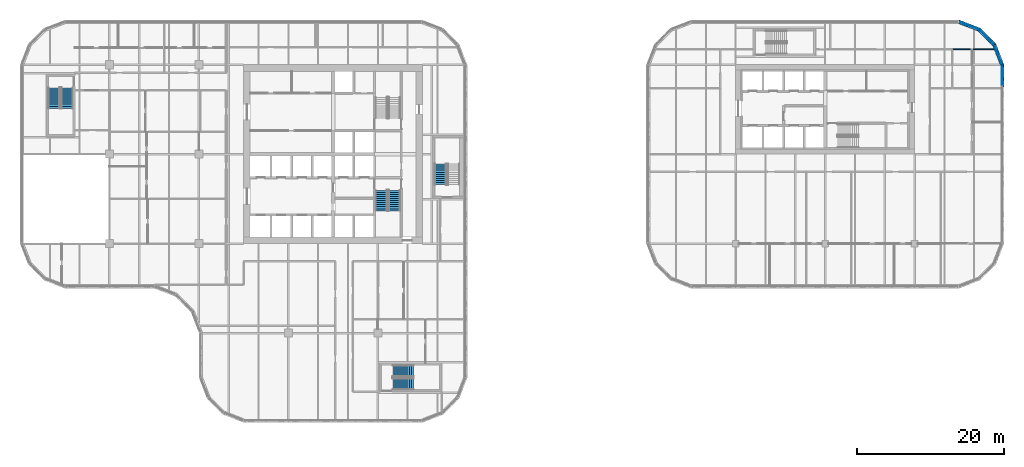
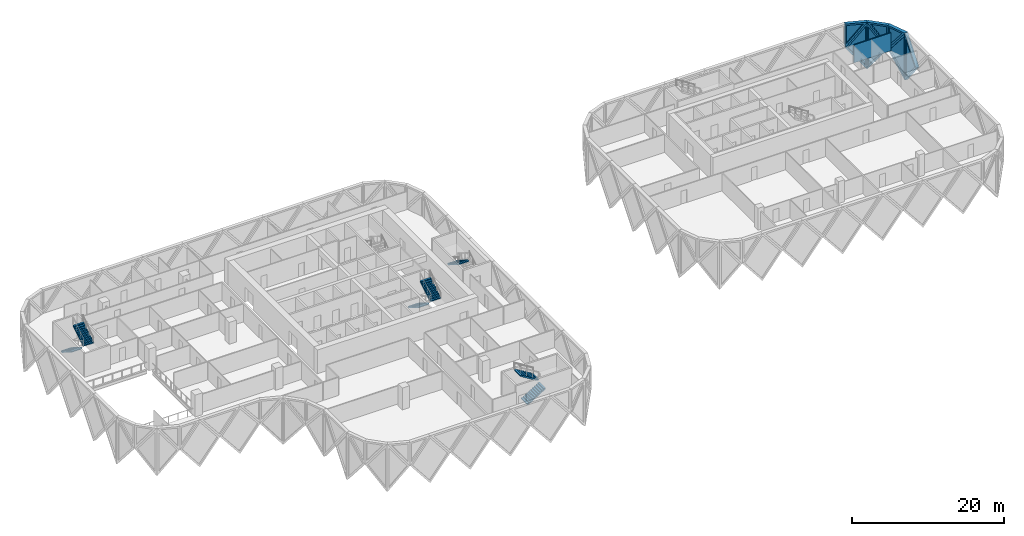
# One storey, part 21 of 24: 8 walls, 7 plates, 7 stair flights, 7 openings, 4 elements without a shape of their own.
"""IFC4 building model written with IfcOpenShell, lengths in metres."""

from ifc_helpers import new_model, si_unit, direction, frame, frame_2d, origin, place, context, subcontext, project, spatial, polyline, rectangle, outline, extrude, faceted_brep, source, transform, mapped, material, layer, layer_set, type_object, element, fill, aggregate, save


model = new_model("IFC4")

# Units and contexts
model_context = context("Model", 3, precision=1e-05, world=origin(), true_north=direction((0.0, 1.0)))
body_context = subcontext(model_context, "Body", "Model", "MODEL_VIEW")
ifc_project = project(units=[si_unit("LENGTHUNIT", "METRE"), si_unit("AREAUNIT", "SQUARE_METRE"), si_unit("VOLUMEUNIT", "CUBIC_METRE"), si_unit("PLANEANGLEUNIT", "RADIAN"), si_unit("MASSUNIT", "GRAM", prefix="KILO")], contexts=[model_context])

# Site, building, storey
site_placement = place(None, origin())
site = spatial("IfcSite", under=ifc_project, at=site_placement, CompositionType="ELEMENT")
building_placement = place(site_placement, origin())
building = spatial("IfcBuilding", under=site, at=building_placement, Name="Tessera Gate Towers", CompositionType="ELEMENT")
storey_placement = place(building_placement, frame((0.0, 0.0, 60.0)))
storey = spatial("IfcBuildingStorey", under=building, at=storey_placement, Name="L14", CompositionType="ELEMENT", Elevation=60.0)

# Wall
ifc_material_1 = material(Name="Gypsum board on steel studs, mineral wool", Category="steel")
ifc_layer_1 = layer(ifc_material_1, 0.14990234375)
ifc_layer_set_1 = layer_set([ifc_layer_1], Name="TENANCY WALL 150")
wall_type_1 = type_object("IfcWallType", Name="TENANCY WALL 150", PredefinedType="PARTITIONING", material=ifc_layer_set_1)
wall_1_placement = place(storey_placement, frame((127.22607421875, 50.89990234375, 0.0), z_axis=(0.0, 0.0, 1.0), x_axis=(1.0, 0.0, 0.0)))
element("IfcWall", 1, at=wall_1_placement, inside=storey, type_object=wall_type_1, Name="T2-L14-PW-034", PredefinedType="PARTITIONING", context=body_context, shape_type="SweptSolid", body=[
    extrude(rectangle(XDim=5.6279296875, YDim=0.14990234375, at=frame_2d((2.81396484375, 0.0))), origin(), (0.0, 0.0, 1.0), 2.887939453125),
])

# Wall, opening, plate
ifc_material_2 = material(Name="Precast concrete C60/75 white", Category="concrete")
ifc_layer_2 = layer(ifc_material_2, 0.5)
ifc_layer_set_2 = layer_set([ifc_layer_2], Name="TS3 corner tessera")
wall_type_2 = type_object("IfcWallType", Name="TS3 corner tessera", PredefinedType="SOLIDWALL", material=ifc_layer_set_2)
shared_shape_1 = source(origin(), body_context, "Body", "Brep", [
    faceted_brep([(3.00341796875, -0.25, 0.0), (3.050048828125, -0.25, 0.06005859375), (3.050048828125, -0.25, 7.5400390625), (3.00341796875, -0.25, 7.60009765625), (0.0, -0.25, 3.800048828125), (0.0, 0.25, 3.800048828125), (2.956787109375, 0.25, 7.541259765625), (2.956787109375, 0.25, 0.058837890625), (3.00341796875, 0.000244140625, 0.0), (3.00341796875, 0.000244140625, 7.60009765625)], [[[0, 1, 2, 3, 4]], [[5, 6, 7]], [[1, 0, 8]], [[9, 3, 2]], [[6, 5, 4, 3, 9]], [[5, 7, 8, 0, 4]], [[1, 8, 7, 6, 9, 2]]]),
])
wall_2_placement = place(storey_placement, frame((133.949951171875, 45.75, -3.800048828125), z_axis=(0.0, 0.0, 1.0), x_axis=(0.0, 1.0, 0.0)))
wall_2 = element("IfcWall", 2, at=wall_2_placement, inside=storey, type_object=wall_type_2, Name="Precast corner tessera T2 TS3-0197", PredefinedType="SOLIDWALL", context=body_context, shape_type="MappedRepresentation", body=[
    mapped(shared_shape_1, transform((0.0, 0.0, 0.0), scale=1.0)),
])
shared_shape_2 = source(origin(), body_context, "Body", "SweptSolid", [
    extrude(outline(polyline([(2.803466796875, 6.94384765625), (0.318603515625, 3.800048828125), (2.803466796875, 0.65625), (2.803466796875, 6.94384765625)])), frame((0.0, 0.260009765625, 0.0), z_axis=(0.0, -1.0, 0.0), x_axis=(1.0, 0.0, 0.0)), (0.0, 0.0, 1.0), 0.52001953125),
])
opening_1_placement = place(wall_2_placement, origin())
opening_1 = element("IfcOpeningElement", 3, at=opening_1_placement, cuts=wall_2, Name="Opening T2-PL2-0319", PredefinedType="OPENING", context=body_context, shape_type="MappedRepresentation", body=[
    mapped(shared_shape_2, transform((0.0, 0.0, 0.0), scale=1.0)),
])
ifc_material_3 = material(Name="Low-e laminated glass", Category="glass")
ifc_layer_3 = layer(ifc_material_3, 0.06005859375)
ifc_layer_set_3 = layer_set([ifc_layer_3], Name="PL2 rhombic pane")
plate_type_1 = type_object("IfcPlateType", Name="PL2 rhombic pane", PredefinedType="SHEET", material=ifc_layer_set_3)
shared_shape_3 = source(origin(), body_context, "Body", "SweptSolid", [
    extrude(outline(polyline([(2.803466796875, 6.94384765625), (0.318603515625, 3.800048828125), (2.803466796875, 0.65625), (2.803466796875, 6.94384765625)])), frame((0.0, 0.030029296875, 0.0), z_axis=(0.0, -1.0, 0.0), x_axis=(1.0, 0.0, 0.0)), (0.0, 0.0, 1.0), 0.06005859375),
])
plate_1_placement = place(opening_1_placement, origin())
plate_1 = element("IfcPlate", 4, at=plate_1_placement, inside=storey, type_object=plate_type_1, Name="Glass pane T2 PL2-0319", PredefinedType="SHEET", context=body_context, shape_type="MappedRepresentation", body=[
    mapped(shared_shape_3, transform((0.0, 0.0, 0.0), scale=1.0)),
])
fill(opening_1, plate_1)

shared_shape_4 = source(origin(), body_context, "Body", "Brep", [
    faceted_brep([(0.046630859375, -0.25, 0.0), (2.9970703125, -0.25, 3.800048828125), (0.046630859375, -0.25, 7.60009765625), (0.0, -0.25, 7.541259765625), (0.0, -0.25, 0.058837890625), (0.09326171875, 0.25, 7.5400390625), (2.9443359375, 0.25, 3.8681640625), (2.9443359375, 0.25, 3.73193359375), (0.09326171875, 0.25, 0.06005859375), (2.9970703125, 0.00048828125, 3.800048828125), (0.046630859375, 0.0, 0.0), (0.046630859375, 0.0, 7.60009765625)], [[[0, 1, 2, 3, 4]], [[5, 6, 7, 8]], [[8, 7, 9, 1, 0, 10]], [[6, 5, 11, 2, 1, 9]], [[3, 2, 11]], [[10, 0, 4]], [[8, 10, 4, 3, 11, 5]], [[9, 7, 6]]]),
])
wall_3_placement = place(storey_placement, frame((133.966796875, 48.7099609375, -3.800048828125), z_axis=(0.0, 0.0, 1.0), x_axis=(-0.359901446078, 0.932990326376, 0.0)))
wall_3 = element("IfcWall", 5, at=wall_3_placement, inside=storey, type_object=wall_type_2, Name="Precast corner tessera T2 TS3-0198", PredefinedType="SOLIDWALL", context=body_context, shape_type="MappedRepresentation", body=[
    mapped(shared_shape_4, transform((0.0, 0.0, 0.0), scale=1.0)),
])
shared_shape_5 = source(origin(), body_context, "Body", "SweptSolid", [
    extrude(outline(polyline([(0.24658203125, 0.665283203125), (2.6806640625, 3.800048828125), (0.24658203125, 6.934814453125), (0.24658203125, 0.665283203125)])), frame((0.0, 0.260009765625, 0.0), z_axis=(0.0, -1.0, 0.0), x_axis=(1.0, 0.0, 0.0)), (0.0, 0.0, 1.0), 0.52001953125),
])
opening_2_placement = place(wall_3_placement, origin())
opening_2 = element("IfcOpeningElement", 6, at=opening_2_placement, cuts=wall_3, Name="Opening T2-PL2-0320", PredefinedType="OPENING", context=body_context, shape_type="MappedRepresentation", body=[
    mapped(shared_shape_5, transform((0.0, 0.0, 0.0), scale=1.0)),
])
shared_shape_6 = source(origin(), body_context, "Body", "SweptSolid", [
    extrude(outline(polyline([(0.24658203125, 0.665283203125), (2.6806640625, 3.800048828125), (0.24658203125, 6.934814453125), (0.24658203125, 0.665283203125)])), frame((0.0, 0.030029296875, 0.0), z_axis=(0.0, -1.0, 0.0), x_axis=(1.0, 0.0, 0.0)), (0.0, 0.0, 1.0), 0.06005859375),
])
plate_2_placement = place(opening_2_placement, origin())
plate_2 = element("IfcPlate", 7, at=plate_2_placement, inside=storey, type_object=plate_type_1, Name="Glass pane T2 PL2-0320", PredefinedType="SHEET", context=body_context, shape_type="MappedRepresentation", body=[
    mapped(shared_shape_6, transform((0.0, 0.0, 0.0), scale=1.0)),
])
fill(opening_2, plate_2)

shared_shape_7 = source(origin(), body_context, "Body", "Brep", [
    faceted_brep([(0.052978515625, -0.25, 0.0), (3.00341796875, -0.25, 3.800048828125), (0.052978515625, -0.25, 7.60009765625), (0.0, -0.25, 7.53173828125), (0.0, -0.25, 0.068359375), (0.10595703125, 0.25, 7.531982421875), (2.95703125, 0.25, 3.85986328125), (2.95703125, 0.25, 3.740234375), (0.10595703125, 0.25, 0.068115234375), (3.00341796875, 0.00048828125, 3.800048828125), (0.052978515625, 0.0, 0.0), (0.052978515625, 0.0, 7.60009765625)], [[[0, 1, 2, 3, 4]], [[5, 6, 7, 8]], [[8, 7, 9, 1, 0, 10]], [[6, 5, 11, 2, 1, 9]], [[3, 2, 11]], [[10, 0, 4]], [[8, 10, 4, 3, 11, 5]], [[9, 7, 6]]]),
])
wall_4_placement = place(storey_placement, frame((130.855712890625, 53.569091796875, -3.800048828125), z_axis=(0.0, 0.0, 1.0), x_axis=(-0.933007896601, 0.359855894603, 0.0)))
wall_4 = element("IfcWall", 8, at=wall_4_placement, inside=storey, type_object=wall_type_2, Name="Precast corner tessera T2 TS3-0200", PredefinedType="SOLIDWALL", context=body_context, shape_type="MappedRepresentation", body=[
    mapped(shared_shape_7, transform((0.0, 0.0, 0.0), scale=1.0)),
])
shared_shape_8 = source(origin(), body_context, "Body", "SweptSolid", [
    extrude(outline(polyline([(0.2529296875, 0.665283203125), (2.68701171875, 3.800048828125), (0.2529296875, 6.934814453125), (0.2529296875, 0.665283203125)])), frame((0.0, 0.260009765625, 0.0), z_axis=(0.0, -1.0, 0.0), x_axis=(1.0, 0.0, 0.0)), (0.0, 0.0, 1.0), 0.52001953125),
])
opening_3_placement = place(wall_4_placement, origin())
opening_3 = element("IfcOpeningElement", 9, at=opening_3_placement, cuts=wall_4, Name="Opening T2-PL2-0322", PredefinedType="OPENING", context=body_context, shape_type="MappedRepresentation", body=[
    mapped(shared_shape_8, transform((0.0, 0.0, 0.0), scale=1.0)),
])
shared_shape_9 = source(origin(), body_context, "Body", "SweptSolid", [
    extrude(outline(polyline([(0.2529296875, 0.665283203125), (2.68701171875, 3.800048828125), (0.2529296875, 6.934814453125), (0.2529296875, 0.665283203125)])), frame((0.0, 0.030029296875, 0.0), z_axis=(0.0, -1.0, 0.0), x_axis=(1.0, 0.0, 0.0)), (0.0, 0.0, 1.0), 0.06005859375),
])
plate_3_placement = place(opening_3_placement, origin())
plate_3 = element("IfcPlate", 10, at=plate_3_placement, inside=storey, type_object=plate_type_1, Name="Glass pane T2 PL2-0322", PredefinedType="SHEET", context=body_context, shape_type="MappedRepresentation", body=[
    mapped(shared_shape_9, transform((0.0, 0.0, 0.0), scale=1.0)),
])
fill(opening_3, plate_3)

shared_shape_10 = source(origin(), body_context, "Body", "Brep", [
    faceted_brep([(2.944091796875, -0.25, 0.0), (2.9970703125, -0.25, 0.068115234375), (2.9970703125, -0.25, 7.531982421875), (2.944091796875, -0.25, 7.60009765625), (0.0, -0.25, 3.800048828125), (0.052978515625, 0.25, 3.868408203125), (2.89111328125, 0.25, 7.531982421875), (2.89111328125, 0.25, 0.068115234375), (0.052978515625, 0.25, 3.731689453125), (2.944091796875, 0.000244140625, 0.0), (2.944091796875, 0.000244140625, 7.60009765625), (0.0, 0.0, 3.800048828125)], [[[0, 1, 2, 3, 4]], [[5, 6, 7, 8]], [[1, 0, 9]], [[10, 3, 2]], [[6, 5, 11, 4, 3, 10]], [[8, 7, 9, 0, 4, 11]], [[8, 11, 5]], [[1, 9, 7, 6, 10, 2]]]),
])
wall_5_placement = place(storey_placement, frame((132.88818359375, 51.50634765625, -3.800048828125), z_axis=(0.0, 0.0, 1.0), x_axis=(-0.707147509625, 0.707066050402, 0.0)))
wall_5 = element("IfcWall", 11, at=wall_5_placement, inside=storey, type_object=wall_type_2, Name="Precast corner tessera T2 TS3-0199", PredefinedType="SOLIDWALL", context=body_context, shape_type="MappedRepresentation", body=[
    mapped(shared_shape_10, transform((0.0, 0.0, 0.0), scale=1.0)),
])
shared_shape_11 = source(origin(), body_context, "Body", "SweptSolid", [
    extrude(outline(polyline([(2.744140625, 6.933837890625), (0.316162109375, 3.800048828125), (2.744140625, 0.666259765625), (2.744140625, 6.933837890625)])), frame((0.0, 0.260009765625, 0.0), z_axis=(0.0, -1.0, 0.0), x_axis=(1.0, 0.0, 0.0)), (0.0, 0.0, 1.0), 0.52001953125),
])
opening_4_placement = place(wall_5_placement, origin())
opening_4 = element("IfcOpeningElement", 12, at=opening_4_placement, cuts=wall_5, Name="Opening T2-PL2-0321", PredefinedType="OPENING", context=body_context, shape_type="MappedRepresentation", body=[
    mapped(shared_shape_11, transform((0.0, 0.0, 0.0), scale=1.0)),
])
shared_shape_12 = source(origin(), body_context, "Body", "SweptSolid", [
    extrude(outline(polyline([(2.744140625, 6.933837890625), (0.316162109375, 3.800048828125), (2.744140625, 0.666259765625), (2.744140625, 6.933837890625)])), frame((0.0, 0.030029296875, 0.0), z_axis=(0.0, -1.0, 0.0), x_axis=(1.0, 0.0, 0.0)), (0.0, 0.0, 1.0), 0.06005859375),
])
plate_4_placement = place(opening_4_placement, origin())
plate_4 = element("IfcPlate", 13, at=plate_4_placement, inside=storey, type_object=plate_type_1, Name="Glass pane T2 PL2-0321", PredefinedType="SHEET", context=body_context, shape_type="MappedRepresentation", body=[
    mapped(shared_shape_12, transform((0.0, 0.0, 0.0), scale=1.0)),
])
fill(opening_4, plate_4)

shared_shape_13 = source(origin(), body_context, "Body", "Brep", [
    faceted_brep([(2.950439453125, -0.25, 0.0), (2.9970703125, -0.25, 0.05908203125), (2.9970703125, -0.25, 3.800048828125), (0.0, -0.25, 3.800048828125), (0.052978515625, 0.25, 3.800048828125), (2.904052734375, 0.25, 3.800048828125), (2.904052734375, 0.25, 0.059814453125), (0.052978515625, 0.25, 3.73193359375), (2.950439453125, 0.00048828125, 0.0), (0.0, 0.0, 3.800048828125)], [[[0, 1, 2, 3]], [[4, 5, 6, 7]], [[1, 0, 8]], [[5, 4, 9, 3, 2]], [[7, 6, 8, 0, 3, 9]], [[7, 9, 4]], [[1, 8, 6, 5, 2]]]),
])
wall_6_placement = place(storey_placement, frame((130.80615234375, 53.588134765625, 0.0), z_axis=(0.0, 0.0, 1.0), x_axis=(-0.932990326376, 0.359901446078, 0.0)))
wall_6 = element("IfcWall", 14, at=wall_6_placement, inside=storey, type_object=wall_type_2, Name="Precast corner tessera T2 TS3-0217", PredefinedType="SOLIDWALL", context=body_context, shape_type="MappedRepresentation", body=[
    mapped(shared_shape_13, transform((0.0, 0.0, 0.0), scale=1.0)),
])
shared_shape_14 = source(origin(), body_context, "Body", "SweptSolid", [
    extrude(outline(polyline([(2.75048828125, 3.550048828125), (0.5107421875, 3.550048828125), (2.75048828125, 0.665283203125), (2.75048828125, 3.550048828125)])), frame((0.0, 0.260009765625, 0.0), z_axis=(0.0, -1.0, 0.0), x_axis=(1.0, 0.0, 0.0)), (0.0, 0.0, 1.0), 0.52001953125),
])
opening_5_placement = place(wall_6_placement, origin())
opening_5 = element("IfcOpeningElement", 15, at=opening_5_placement, cuts=wall_6, Name="Opening T2-PL1-0119", PredefinedType="OPENING", context=body_context, shape_type="MappedRepresentation", body=[
    mapped(shared_shape_14, transform((0.0, 0.0, 0.0), scale=1.0)),
])
ifc_material_4 = material(Name="Low-e laminated glass", Category="glass")
ifc_layer_4 = layer(ifc_material_4, 0.06005859375)
ifc_layer_set_4 = layer_set([ifc_layer_4], Name="PL1 triangular pane")
plate_type_2 = type_object("IfcPlateType", Name="PL1 triangular pane", PredefinedType="SHEET", material=ifc_layer_set_4)
shared_shape_15 = source(origin(), body_context, "Body", "SweptSolid", [
    extrude(outline(polyline([(2.75048828125, 3.550048828125), (0.5107421875, 3.550048828125), (2.75048828125, 0.665283203125), (2.75048828125, 3.550048828125)])), frame((0.0, 0.030029296875, 0.0), z_axis=(0.0, -1.0, 0.0), x_axis=(1.0, 0.0, 0.0)), (0.0, 0.0, 1.0), 0.06005859375),
])
plate_5_placement = place(opening_5_placement, origin())
plate_5 = element("IfcPlate", 16, at=plate_5_placement, inside=storey, type_object=plate_type_2, Name="Glass pane T2 PL1-0119", PredefinedType="SHEET", context=body_context, shape_type="MappedRepresentation", body=[
    mapped(shared_shape_15, transform((0.0, 0.0, 0.0), scale=1.0)),
])
fill(opening_5, plate_5)

shared_shape_16 = source(origin(), body_context, "Body", "Brep", [
    faceted_brep([(0.052978515625, -0.25, 0.0), (2.9970703125, -0.25, 3.800048828125), (0.0, -0.25, 3.800048828125), (0.0, -0.25, 0.068115234375), (0.10595703125, 0.25, 3.800048828125), (2.944091796875, 0.25, 3.800048828125), (2.944091796875, 0.25, 3.73193359375), (0.10595703125, 0.25, 0.068359375), (2.9970703125, 0.000244140625, 3.800048828125), (0.052978515625, 0.0, 0.0)], [[[0, 1, 2, 3]], [[4, 5, 6, 7]], [[7, 6, 8, 1, 0, 9]], [[5, 4, 2, 1, 8]], [[9, 0, 3]], [[7, 9, 3, 2, 4]], [[6, 5, 8]]]),
])
wall_7_placement = place(storey_placement, frame((132.925537109375, 51.46875, 0.0), z_axis=(0.0, 0.0, 1.0), x_axis=(-0.707066050402, 0.707147509625, 0.0)))
wall_7 = element("IfcWall", 17, at=wall_7_placement, inside=storey, type_object=wall_type_2, Name="Precast corner tessera T2 TS3-0216", PredefinedType="SOLIDWALL", context=body_context, shape_type="MappedRepresentation", body=[
    mapped(shared_shape_16, transform((0.0, 0.0, 0.0), scale=1.0)),
])
shared_shape_17 = source(origin(), body_context, "Body", "SweptSolid", [
    extrude(outline(polyline([(0.2529296875, 0.666259765625), (2.487060546875, 3.550048828125), (0.2529296875, 3.550048828125), (0.2529296875, 0.666259765625)])), frame((0.0, 0.260009765625, 0.0), z_axis=(0.0, -1.0, 0.0), x_axis=(1.0, 0.0, 0.0)), (0.0, 0.0, 1.0), 0.52001953125),
])
opening_6_placement = place(wall_7_placement, origin())
opening_6 = element("IfcOpeningElement", 18, at=opening_6_placement, cuts=wall_7, Name="Opening T2-PL1-0118", PredefinedType="OPENING", context=body_context, shape_type="MappedRepresentation", body=[
    mapped(shared_shape_17, transform((0.0, 0.0, 0.0), scale=1.0)),
])
shared_shape_18 = source(origin(), body_context, "Body", "SweptSolid", [
    extrude(outline(polyline([(0.2529296875, 0.666259765625), (2.487060546875, 3.550048828125), (0.2529296875, 3.550048828125), (0.2529296875, 0.666259765625)])), frame((0.0, 0.030029296875, 0.0), z_axis=(0.0, -1.0, 0.0), x_axis=(1.0, 0.0, 0.0)), (0.0, 0.0, 1.0), 0.06005859375),
])
plate_6_placement = place(opening_6_placement, origin())
plate_6 = element("IfcPlate", 19, at=plate_6_placement, inside=storey, type_object=plate_type_2, Name="Glass pane T2 PL1-0118", PredefinedType="SHEET", context=body_context, shape_type="MappedRepresentation", body=[
    mapped(shared_shape_18, transform((0.0, 0.0, 0.0), scale=1.0)),
])
fill(opening_6, plate_6)

shared_shape_19 = source(origin(), body_context, "Body", "Brep", [
    faceted_brep([(2.950439453125, -0.25, 0.0), (3.00341796875, -0.25, 0.068359375), (3.00341796875, -0.25, 3.800048828125), (0.0, -0.25, 3.800048828125), (0.046630859375, 0.25, 3.800048828125), (2.897705078125, 0.25, 3.800048828125), (2.897705078125, 0.25, 0.068115234375), (0.046630859375, 0.25, 3.739990234375), (2.950439453125, 0.00048828125, 0.0), (0.0, 0.0, 3.800048828125)], [[[0, 1, 2, 3]], [[4, 5, 6, 7]], [[1, 0, 8]], [[5, 4, 9, 3, 2]], [[7, 6, 8, 0, 3, 9]], [[7, 9, 4]], [[1, 8, 6, 5, 2]]]),
])
wall_8_placement = place(storey_placement, frame((133.949951171875, 48.75341796875, 0.0), z_axis=(0.0, 0.0, 1.0), x_axis=(-0.359855894603, 0.933007896601, 0.0)))
wall_8 = element("IfcWall", 20, at=wall_8_placement, inside=storey, type_object=wall_type_2, Name="Precast corner tessera T2 TS3-0215", PredefinedType="SOLIDWALL", context=body_context, shape_type="MappedRepresentation", body=[
    mapped(shared_shape_19, transform((0.0, 0.0, 0.0), scale=1.0)),
])
opening_7_placement = place(wall_8_placement, origin())
opening_7 = element("IfcOpeningElement", 21, at=opening_7_placement, cuts=wall_8, Name="Opening T2-PL1-0117", PredefinedType="OPENING", context=body_context, shape_type="MappedRepresentation", body=[
    mapped(shared_shape_14, transform((0.0, 0.0, 0.0), scale=1.0)),
])
plate_7_placement = place(opening_7_placement, origin())
plate_7 = element("IfcPlate", 22, at=plate_7_placement, inside=storey, type_object=plate_type_2, Name="Glass pane T2 PL1-0117", PredefinedType="SHEET", context=body_context, shape_type="MappedRepresentation", body=[
    mapped(shared_shape_15, transform((0.0, 0.0, 0.0), scale=1.0)),
])
fill(opening_7, plate_7)

# Stair, stair flights
ifc_material_5 = material(Name="Concrete C40/50", Category="concrete")
stair_type_1 = type_object("IfcStairType", Name="EXIT STAIR ST1 1600", PredefinedType="HALF_TURN_STAIR", material=ifc_material_5)
stair_1_placement = place(storey_placement, origin())
stair_1 = element("IfcStair", 23, at=stair_1_placement, inside=storey, type_object=stair_type_1, Name="L14 Protected Exit Stair ST1", PredefinedType="HALF_TURN_STAIR")
ifc_material_6 = material(Name="Concrete C40/50", Category="concrete")
stair_flight_type_1 = type_object("IfcStairFlightType", Name="EXIT STAIR FLIGHT ST1 1600", PredefinedType="STRAIGHT", material=ifc_material_6)
stair_flight_1_placement = place(storey_placement, frame((49.27490234375, 31.675048828125, 0.0), z_axis=(0.0, 0.0, 1.0), x_axis=(0.0, -1.0, 0.0)))
stair_flight_1 = element("IfcStairFlight", 24, at=stair_flight_1_placement, type_object=stair_flight_type_1, Name="ST1 flight 1", NumberOfRisers=11, NumberOfTreads=10, PredefinedType="STRAIGHT", RiserHeight=0.172727273, TreadLength=0.28, context=body_context, shape_type="SweptSolid", body=[
    extrude(outline(polyline([(0.0, 0.0), (0.0, 0.172607421875), (0.280029296875, 0.172607421875), (0.280029296875, 0.345458984375), (0.56005859375, 0.345458984375), (0.56005859375, 0.51806640625), (0.840087890625, 0.51806640625), (0.840087890625, 0.69091796875), (1.1201171875, 0.69091796875), (1.1201171875, 0.863525390625), (1.39990234375, 0.863525390625), (1.39990234375, 1.036376953125), (1.679931640625, 1.036376953125), (1.679931640625, 1.208984375), (1.9599609375, 1.208984375), (1.9599609375, 1.3818359375), (2.239990234375, 1.3818359375), (2.239990234375, 1.554443359375), (2.52001953125, 1.554443359375), (2.52001953125, 1.727294921875), (2.800048828125, 1.727294921875), (2.800048828125, 1.89990234375), (2.800048828125, 1.551025390625), (0.285400390625, 0.0), (0.0, 0.0)])), frame((0.0, 0.800048828125, 0.0), z_axis=(0.0, -1.0, 0.0), x_axis=(1.0, 0.0, 0.0)), (0.0, 0.0, 1.0), 1.60009765625),
])
stair_flight_2_placement = place(storey_placement, frame((51.074951171875, 28.875, 1.89990234375), z_axis=(0.0, 0.0, 1.0), x_axis=(0.0, 1.0, 0.0)))
stair_flight_2 = element("IfcStairFlight", 25, at=stair_flight_2_placement, type_object=stair_flight_type_1, Name="ST1 flight 2", NumberOfRisers=11, NumberOfTreads=10, PredefinedType="STRAIGHT", RiserHeight=0.172727273, TreadLength=0.28, context=body_context, shape_type="SweptSolid", body=[
    extrude(outline(polyline([(0.0, 0.0), (0.0, 0.172607421875), (0.280029296875, 0.172607421875), (0.280029296875, 0.345458984375), (0.56005859375, 0.345458984375), (0.56005859375, 0.51806640625), (0.840087890625, 0.51806640625), (0.840087890625, 0.69091796875), (1.1201171875, 0.69091796875), (1.1201171875, 0.863525390625), (1.39990234375, 0.863525390625), (1.39990234375, 1.036376953125), (1.679931640625, 1.036376953125), (1.679931640625, 1.208984375), (1.9599609375, 1.208984375), (1.9599609375, 1.3818359375), (2.239990234375, 1.3818359375), (2.239990234375, 1.554443359375), (2.52001953125, 1.554443359375), (2.52001953125, 1.727294921875), (2.800048828125, 1.727294921875), (2.800048828125, 1.89990234375), (2.800048828125, 1.551025390625), (0.285400390625, 0.0), (0.0, 0.0)])), frame((0.0, 0.800048828125, 0.0), z_axis=(0.0, -1.0, 0.0), x_axis=(1.0, 0.0, 0.0)), (0.0, 0.0, 1.0), 1.60009765625),
])
aggregate(stair_1, [stair_flight_1, stair_flight_2])

ifc_material_7 = material(Name="Concrete C40/50", Category="concrete")
stair_type_2 = type_object("IfcStairType", Name="EXIT STAIR ST3 1600", PredefinedType="HALF_TURN_STAIR", material=ifc_material_7)
stair_2_placement = place(storey_placement, origin())
stair_2 = element("IfcStair", 26, at=stair_2_placement, inside=storey, type_object=stair_type_2, Name="L14 West Exit Stair ST3", PredefinedType="HALF_TURN_STAIR")
ifc_material_8 = material(Name="Concrete C40/50", Category="concrete")
stair_flight_type_2 = type_object("IfcStairFlightType", Name="EXIT STAIR FLIGHT ST3 1600", PredefinedType="STRAIGHT", material=ifc_material_8)
stair_flight_3_placement = place(storey_placement, frame((4.64990234375, 45.64990234375, 0.0), z_axis=(0.0, 0.0, 1.0), x_axis=(0.0, -1.0, 0.0)))
stair_flight_3 = element("IfcStairFlight", 27, at=stair_flight_3_placement, type_object=stair_flight_type_2, Name="ST3 flight 1", NumberOfRisers=11, NumberOfTreads=10, PredefinedType="STRAIGHT", RiserHeight=0.172727273, TreadLength=0.28, context=body_context, shape_type="SweptSolid", body=[
    extrude(outline(polyline([(0.0, 0.0), (0.0, 0.172607421875), (0.280029296875, 0.172607421875), (0.280029296875, 0.345458984375), (0.56005859375, 0.345458984375), (0.56005859375, 0.51806640625), (0.840087890625, 0.51806640625), (0.840087890625, 0.69091796875), (1.1201171875, 0.69091796875), (1.1201171875, 0.863525390625), (1.39990234375, 0.863525390625), (1.39990234375, 1.036376953125), (1.679931640625, 1.036376953125), (1.679931640625, 1.208984375), (1.9599609375, 1.208984375), (1.9599609375, 1.3818359375), (2.239990234375, 1.3818359375), (2.239990234375, 1.554443359375), (2.52001953125, 1.554443359375), (2.52001953125, 1.727294921875), (2.800048828125, 1.727294921875), (2.800048828125, 1.89990234375), (2.800048828125, 1.551025390625), (0.285400390625, 0.0), (0.0, 0.0)])), frame((0.0, 0.800048828125, 0.0), z_axis=(0.0, -1.0, 0.0), x_axis=(1.0, 0.0, 0.0)), (0.0, 0.0, 1.0), 1.60009765625),
])
stair_flight_4_placement = place(storey_placement, frame((6.449951171875, 42.85009765625, 1.89990234375), z_axis=(0.0, 0.0, 1.0), x_axis=(0.0, 1.0, 0.0)))
stair_flight_4 = element("IfcStairFlight", 28, at=stair_flight_4_placement, type_object=stair_flight_type_2, Name="ST3 flight 2", NumberOfRisers=11, NumberOfTreads=10, PredefinedType="STRAIGHT", RiserHeight=0.172727273, TreadLength=0.28, context=body_context, shape_type="SweptSolid", body=[
    extrude(outline(polyline([(0.0, 0.0), (0.0, 0.172607421875), (0.280029296875, 0.172607421875), (0.280029296875, 0.345458984375), (0.56005859375, 0.345458984375), (0.56005859375, 0.51806640625), (0.840087890625, 0.51806640625), (0.840087890625, 0.69091796875), (1.1201171875, 0.69091796875), (1.1201171875, 0.863525390625), (1.39990234375, 0.863525390625), (1.39990234375, 1.036376953125), (1.679931640625, 1.036376953125), (1.679931640625, 1.208984375), (1.9599609375, 1.208984375), (1.9599609375, 1.3818359375), (2.239990234375, 1.3818359375), (2.239990234375, 1.554443359375), (2.52001953125, 1.554443359375), (2.52001953125, 1.727294921875), (2.800048828125, 1.727294921875), (2.800048828125, 1.89990234375), (2.800048828125, 1.551025390625), (0.285400390625, 0.0), (0.0, 0.0)])), frame((0.0, 0.800048828125, 0.0), z_axis=(0.0, -1.0, 0.0), x_axis=(1.0, 0.0, 0.0)), (0.0, 0.0, 1.0), 1.60009765625),
])
aggregate(stair_2, [stair_flight_3, stair_flight_4])

ifc_material_9 = material(Name="Concrete C40/50", Category="concrete")
stair_type_3 = type_object("IfcStairType", Name="EXIT STAIR ST4 1600", PredefinedType="HALF_TURN_STAIR", material=ifc_material_9)
stair_3_placement = place(storey_placement, origin())
stair_3 = element("IfcStair", 29, at=stair_3_placement, inside=storey, type_object=stair_type_3, Name="L14 South Exit Stair ST4", PredefinedType="HALF_TURN_STAIR")
ifc_material_10 = material(Name="Concrete C40/50", Category="concrete")
stair_flight_type_3 = type_object("IfcStairFlightType", Name="EXIT STAIR FLIGHT ST4 1600", PredefinedType="STRAIGHT", material=ifc_material_10)
stair_flight_5_placement = place(storey_placement, frame((50.85009765625, 5.25, 0.0), z_axis=(0.0, 0.0, 1.0), x_axis=(1.0, 0.0, 0.0)))
stair_flight_5 = element("IfcStairFlight", 30, at=stair_flight_5_placement, type_object=stair_flight_type_3, Name="ST4 flight 1", NumberOfRisers=11, NumberOfTreads=10, PredefinedType="STRAIGHT", RiserHeight=0.172727273, TreadLength=0.28, context=body_context, shape_type="SweptSolid", body=[
    extrude(outline(polyline([(0.0, 0.0), (0.0, 0.172607421875), (0.280029296875, 0.172607421875), (0.280029296875, 0.345458984375), (0.56005859375, 0.345458984375), (0.56005859375, 0.51806640625), (0.840087890625, 0.51806640625), (0.840087890625, 0.69091796875), (1.1201171875, 0.69091796875), (1.1201171875, 0.863525390625), (1.39990234375, 0.863525390625), (1.39990234375, 1.036376953125), (1.679931640625, 1.036376953125), (1.679931640625, 1.208984375), (1.9599609375, 1.208984375), (1.9599609375, 1.3818359375), (2.239990234375, 1.3818359375), (2.239990234375, 1.554443359375), (2.52001953125, 1.554443359375), (2.52001953125, 1.727294921875), (2.800048828125, 1.727294921875), (2.800048828125, 1.89990234375), (2.800048828125, 1.551025390625), (0.285400390625, 0.0), (0.0, 0.0)])), frame((0.0, 0.800048828125, 0.0), z_axis=(0.0, -1.0, 0.0), x_axis=(1.0, 0.0, 0.0)), (0.0, 0.0, 1.0), 1.60009765625),
])
stair_flight_6_placement = place(storey_placement, frame((53.64990234375, 7.050048828125, 1.89990234375), z_axis=(0.0, 0.0, 1.0), x_axis=(-1.0, 0.0, 0.0)))
stair_flight_6 = element("IfcStairFlight", 31, at=stair_flight_6_placement, type_object=stair_flight_type_3, Name="ST4 flight 2", NumberOfRisers=11, NumberOfTreads=10, PredefinedType="STRAIGHT", RiserHeight=0.172727273, TreadLength=0.28, context=body_context, shape_type="SweptSolid", body=[
    extrude(outline(polyline([(0.0, 0.0), (0.0, 0.172607421875), (0.280029296875, 0.172607421875), (0.280029296875, 0.345458984375), (0.56005859375, 0.345458984375), (0.56005859375, 0.51806640625), (0.840087890625, 0.51806640625), (0.840087890625, 0.69091796875), (1.1201171875, 0.69091796875), (1.1201171875, 0.863525390625), (1.39990234375, 0.863525390625), (1.39990234375, 1.036376953125), (1.679931640625, 1.036376953125), (1.679931640625, 1.208984375), (1.9599609375, 1.208984375), (1.9599609375, 1.3818359375), (2.239990234375, 1.3818359375), (2.239990234375, 1.554443359375), (2.52001953125, 1.554443359375), (2.52001953125, 1.727294921875), (2.800048828125, 1.727294921875), (2.800048828125, 1.89990234375), (2.800048828125, 1.551025390625), (0.285400390625, 0.0), (0.0, 0.0)])), frame((0.0, 0.800048828125, 0.0), z_axis=(0.0, -1.0, 0.0), x_axis=(1.0, 0.0, 0.0)), (0.0, 0.0, 1.0), 1.60009765625),
])
aggregate(stair_3, [stair_flight_5, stair_flight_6])

# Stair, stair flight
ifc_material_11 = material(Name="Concrete C40/50", Category="concrete")
stair_type_4 = type_object("IfcStairType", Name="EXIT STAIR ST5 1600", PredefinedType="HALF_TURN_STAIR", material=ifc_material_11)
stair_4_placement = place(storey_placement, origin())
stair_4 = element("IfcStair", 32, at=stair_4_placement, inside=storey, type_object=stair_type_4, Name="L14 East Exit Stair ST5", PredefinedType="HALF_TURN_STAIR")
ifc_material_12 = material(Name="Concrete C40/50", Category="concrete")
stair_flight_type_4 = type_object("IfcStairFlightType", Name="EXIT STAIR FLIGHT ST5 1600", PredefinedType="STRAIGHT", material=ifc_material_12)
stair_flight_7_placement = place(storey_placement, frame((57.35009765625, 35.25, 1.89990234375), z_axis=(0.0, 0.0, 1.0), x_axis=(0.0, -1.0, 0.0)))
stair_flight_7 = element("IfcStairFlight", 33, at=stair_flight_7_placement, type_object=stair_flight_type_4, Name="ST5 flight 2", NumberOfRisers=11, NumberOfTreads=10, PredefinedType="STRAIGHT", RiserHeight=0.172727273, TreadLength=0.28, context=body_context, shape_type="SweptSolid", body=[
    extrude(outline(polyline([(0.0, 0.0), (0.0, 0.172607421875), (0.280029296875, 0.172607421875), (0.280029296875, 0.345458984375), (0.56005859375, 0.345458984375), (0.56005859375, 0.51806640625), (0.840087890625, 0.51806640625), (0.840087890625, 0.69091796875), (1.1201171875, 0.69091796875), (1.1201171875, 0.863525390625), (1.39990234375, 0.863525390625), (1.39990234375, 1.036376953125), (1.679931640625, 1.036376953125), (1.679931640625, 1.208984375), (1.9599609375, 1.208984375), (1.9599609375, 1.3818359375), (2.239990234375, 1.3818359375), (2.239990234375, 1.554443359375), (2.52001953125, 1.554443359375), (2.52001953125, 1.727294921875), (2.800048828125, 1.727294921875), (2.800048828125, 1.89990234375), (2.800048828125, 1.551025390625), (0.285400390625, 0.0), (0.0, 0.0)])), frame((0.0, 0.800048828125, 0.0), z_axis=(0.0, -1.0, 0.0), x_axis=(1.0, 0.0, 0.0)), (0.0, 0.0, 1.0), 1.60009765625),
])
aggregate(stair_4, [stair_flight_7])

save(model, "model.ifc")
